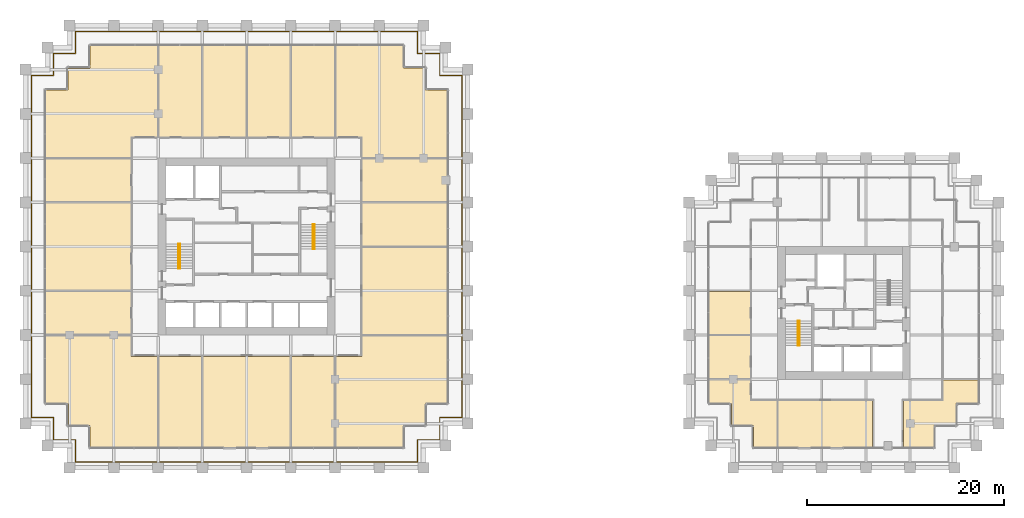
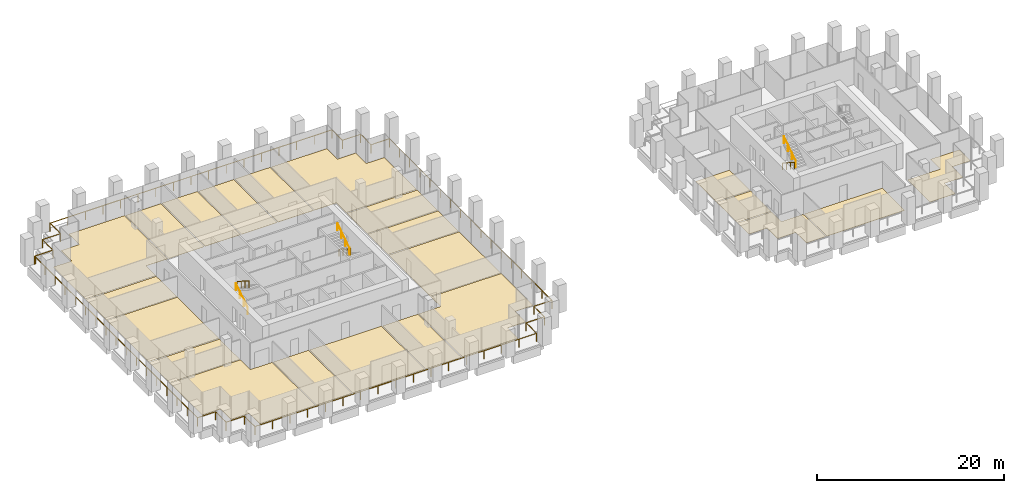
# One storey, part 55 of 56: 22 coverings, 7 railings.
"""IFC4 building model written with IfcOpenShell, lengths in metres."""

import ifcopenshell
import ifcopenshell.guid

model = None  # the IFC model being written
_history = None  # IfcOwnerHistory: only IFC2X3 demands one
_inside = {}  # id of a spatial element -> (the spatial element, [elements in it])
_under = {}  # id of a project, library or spatial element -> (it, [spatial elements below it])
_declared = {}  # id of a project -> (the project, [libraries it declares])
_typed = {}  # id of a type object -> (the type object, [elements of that type])
_made_of = {}  # id of a material, layer set ... -> (it, [elements and type objects made of it])


def new_model(schema):
    """Start an empty IFC model of exactly this schema.

    Asked for "IFC4X3", IfcOpenShell would pick the latest addendum, in which some entities
    have other attributes; the version numbers below select the first issue.
    IFC2X3 requires an IfcOwnerHistory on every rooted entity: one is made here for all.
    """
    global model, _history
    if schema == "IFC4X3":
        model = ifcopenshell.file(schema_version=(4, 3, 0, 0))
    else:
        model = ifcopenshell.file(schema=schema)
    _inside.clear()
    _under.clear()
    _declared.clear()
    _typed.clear()
    _made_of.clear()
    _history = None
    if model.schema == "IFC2X3":
        org = make("IfcOrganization", Name="unknown")
        user = make(
            "IfcPersonAndOrganization",
            ThePerson=make("IfcPerson", FamilyName="unknown"),
            TheOrganization=org,
        )
        app = make(
            "IfcApplication",
            ApplicationDeveloper=org,
            Version="unknown",
            ApplicationFullName="unknown",
            ApplicationIdentifier="unknown",
        )
        _history = make(
            "IfcOwnerHistory",
            OwningUser=user,
            OwningApplication=app,
            ChangeAction="ADDED",
            CreationDate=0,
        )
    return model


def make(cls, **values):
    """One entity of the class cls with the attributes given. An attribute that is None is left unset."""
    return model.create_entity(
        cls, **{name: value for name, value in values.items() if value is not None}
    )


def rooted(cls, **values):
    """An entity with a GlobalId (a new one), such as an element, a storey or a relation."""
    return make(cls, GlobalId=ifcopenshell.guid.new(), OwnerHistory=_history, **values)


def si_unit(unit_type, name, prefix=None):
    """IfcSIUnit, for example si_unit("LENGTHUNIT", "METRE", prefix="MILLI")."""
    return make("IfcSIUnit", UnitType=unit_type, Prefix=prefix, Name=name)


def assignment(units):
    """IfcUnitAssignment: the units of a project."""
    return None if units is None else make("IfcUnitAssignment", Units=units)


def point(xyz):
    """IfcCartesianPoint."""
    return None if xyz is None else make("IfcCartesianPoint", Coordinates=xyz)


def direction(xyz):
    """IfcDirection."""
    return None if xyz is None else make("IfcDirection", DirectionRatios=xyz)


def frame(location, z_axis=None, x_axis=None):
    """IfcAxis2Placement3D, a coordinate frame: its origin and axes. An axis left out is left unset."""
    return make(
        "IfcAxis2Placement3D",
        Location=point(location),
        Axis=direction(z_axis),
        RefDirection=direction(x_axis),
    )


def frame_2d(location, x_axis=None):
    """IfcAxis2Placement2D, a coordinate frame in the plane: its origin and x axis."""
    return make(
        "IfcAxis2Placement2D", Location=point(location), RefDirection=direction(x_axis)
    )


def origin():
    """The frame at (0, 0, 0) with its axes left unset."""
    return frame((0.0, 0.0, 0.0))


def origin_2d():
    """The frame at (0, 0) in the plane with its x axis left unset."""
    return frame_2d((0.0, 0.0))


def place(relative_to, where):
    """IfcLocalPlacement: puts the frame where relative to a parent placement (None: the world)."""
    return make(
        "IfcLocalPlacement", PlacementRelTo=relative_to, RelativePlacement=where
    )


def context(
    kind, dimensions, precision=None, world=None, true_north=None, identifier=None
):
    """IfcGeometricRepresentationContext, for example the 3D "Model" context."""
    return make(
        "IfcGeometricRepresentationContext",
        ContextIdentifier=identifier,
        ContextType=kind,
        CoordinateSpaceDimension=dimensions,
        Precision=precision,
        WorldCoordinateSystem=world,
        TrueNorth=true_north,
    )


def subcontext(parent, identifier, kind, view, scale=None):
    """IfcGeometricRepresentationSubContext, for example "Body" below "Model"."""
    return make(
        "IfcGeometricRepresentationSubContext",
        ContextIdentifier=identifier,
        ContextType=kind,
        ParentContext=parent,
        TargetScale=scale,
        TargetView=view,
    )


def project(units=None, contexts=None):
    """IfcProject with its units and contexts."""
    return rooted(
        "IfcProject",
        Name="project",
        RepresentationContexts=contexts,
        UnitsInContext=assignment(units),
    )


def spatial(cls, under=None, at=None, **own):
    """A site, building, storey or space (cls), placed at a placement, below another one or the project."""
    s = rooted(cls, ObjectPlacement=at, **own)
    if under is not None:
        _under.setdefault(under.id(), (under, []))[1].append(s)
    return s


def polyline(points):
    """IfcPolyline through the points."""
    return make("IfcPolyline", Points=[point(p) for p in points])


def profile(cls, at=None, kind="AREA", **sizes):
    """A parametric profile (cls). Its sizes go by their IFC names, for example OverallWidth=200.0."""
    return make(cls, ProfileType=kind, Position=at, **sizes)


def circle(**sizes):
    """IfcCircleProfileDef."""
    return profile("IfcCircleProfileDef", **sizes)


def outline(outer, holes=None, kind="AREA"):
    """IfcArbitraryClosedProfileDef: a profile drawn as a closed curve; with holes, ...WithVoids."""
    if holes is None:
        return make("IfcArbitraryClosedProfileDef", ProfileType=kind, OuterCurve=outer)
    return make(
        "IfcArbitraryProfileDefWithVoids",
        ProfileType=kind,
        OuterCurve=outer,
        InnerCurves=holes,
    )


def extrude(swept, where, along, depth):
    """IfcExtrudedAreaSolid: the profile swept, set in the frame where, extruded along a direction by depth."""
    return make(
        "IfcExtrudedAreaSolid",
        SweptArea=swept,
        Position=where,
        ExtrudedDirection=direction(along),
        Depth=depth,
    )


def shape(context_of_items, identifier, shape_type, items):
    """IfcShapeRepresentation: the items that make up one representation, for example the "Body"."""
    return make(
        "IfcShapeRepresentation",
        ContextOfItems=context_of_items,
        RepresentationIdentifier=identifier,
        RepresentationType=shape_type,
        Items=items,
    )


def source(mapping_origin, context_of_items, identifier, shape_type, items):
    """IfcRepresentationMap: a shape defined once, which mapped items show again and again."""
    return make(
        "IfcRepresentationMap",
        MappingOrigin=mapping_origin,
        MappedRepresentation=shape(context_of_items, identifier, shape_type, items),
    )


def transform(
    local_origin,
    x_axis=None,
    y_axis=None,
    z_axis=None,
    scale=None,
    scale2=None,
    scale3=None,
    uniform=True,
):
    """IfcCartesianTransformationOperator3D, or its non-uniform kind. x_axis, y_axis, z_axis: its Axis1, 2, 3."""
    if uniform:
        return make(
            "IfcCartesianTransformationOperator3D",
            Axis1=direction(x_axis),
            Axis2=direction(y_axis),
            LocalOrigin=point(local_origin),
            Scale=scale,
            Axis3=direction(z_axis),
        )
    return make(
        "IfcCartesianTransformationOperator3DnonUniform",
        Axis1=direction(x_axis),
        Axis2=direction(y_axis),
        LocalOrigin=point(local_origin),
        Scale=scale,
        Axis3=direction(z_axis),
        Scale2=scale2,
        Scale3=scale3,
    )


def mapped(mapping_source, mapping_target):
    """IfcMappedItem: shows the shape of a source again, moved by a transform."""
    return make(
        "IfcMappedItem", MappingSource=mapping_source, MappingTarget=mapping_target
    )


def material(Name=None, Category=None):
    """IfcMaterial."""
    return make("IfcMaterial", Name=Name, Category=Category)


def layer(
    of_material, thickness, ventilated=None, Name=None, Category=None, Priority=None
):
    """IfcMaterialLayer: one layer of a wall or slab, of a material (None: an air gap)."""
    return make(
        "IfcMaterialLayer",
        Material=of_material,
        LayerThickness=thickness,
        IsVentilated=ventilated,
        Name=Name,
        Category=Category,
        Priority=Priority,
    )


def layer_set(layers, Name=None):
    """IfcMaterialLayerSet."""
    return make("IfcMaterialLayerSet", MaterialLayers=layers, LayerSetName=Name)


def made_of(thing, what):
    """Note that an element or type object is made of a material, layer set ...; save() writes the relation."""
    if what is not None:
        _made_of.setdefault(what.id(), (what, []))[1].append(thing)
    return thing


def type_object(cls, material=None, **own):
    """A type object (cls), such as IfcWallType, which elements share."""
    return made_of(rooted(cls, **own), material)


def element(
    cls,
    number,
    at=None,
    inside=None,
    cuts=None,
    type_object=None,
    material=None,
    context=None,
    identifier="Body",
    shape_type=None,
    held_by="IfcProductDefinitionShape",
    body=None,
    shapes=None,
    **own,
):
    """One element of the class cls, such as IfcWall. Its Tag is "e" and its number.

    at: its placement. inside: the storey or other place that contains it. cuts: it is an
    opening in that element (IfcRelVoidsElement). A single representation is given by context,
    identifier, shape_type and body (its items); several are given by shapes. held_by: the class
    of the entity that holds the representations. save() writes the other relations.
    """
    e = rooted(cls, Tag="e%d" % number, ObjectPlacement=at, **own)
    if body is not None:
        shapes = [shape(context, identifier, shape_type, body)]
    if shapes is not None:
        e.Representation = make(held_by, Representations=shapes)
    if inside is not None:
        _inside.setdefault(inside.id(), (inside, []))[1].append(e)
    if cuts is not None:
        rooted(
            "IfcRelVoidsElement", RelatingBuildingElement=cuts, RelatedOpeningElement=e
        )
    if type_object is not None:
        _typed.setdefault(type_object.id(), (type_object, []))[1].append(e)
    return made_of(e, material)


def aggregate(whole, parts):
    """IfcRelAggregates: a whole, such as a stair, and the parts it consists of."""
    return rooted("IfcRelAggregates", RelatingObject=whole, RelatedObjects=parts)


def save(model, path):
    """Write the relations noted so far, then the file.

    IfcRelAggregates (storeys below a building ...), IfcRelContainedInSpatialStructure (elements
    in a storey), IfcRelDefinesByType, IfcRelAssociatesMaterial and IfcRelDeclares: one each for
    every whole, place, type object, material and project.
    """
    for whole, parts in _under.values():
        aggregate(whole, parts)
    for where, things in _inside.values():
        rooted(
            "IfcRelContainedInSpatialStructure",
            RelatedElements=things,
            RelatingStructure=where,
        )
    for kind, things in _typed.values():
        rooted("IfcRelDefinesByType", RelatedObjects=things, RelatingType=kind)
    for what, things in _made_of.values():
        rooted("IfcRelAssociatesMaterial", RelatedObjects=things, RelatingMaterial=what)
    for by, libraries in _declared.values():
        rooted("IfcRelDeclares", RelatingContext=by, RelatedDefinitions=libraries)
    model.write(path)


model = new_model("IFC4")

# Units and contexts
model_context = context("Model", 3, precision=1e-05, world=origin(), true_north=direction((0.0, 1.0)))
body_context = subcontext(model_context, "Body", "Model", "MODEL_VIEW")
ifc_project = project(units=[si_unit("LENGTHUNIT", "METRE"), si_unit("AREAUNIT", "SQUARE_METRE"), si_unit("VOLUMEUNIT", "CUBIC_METRE"), si_unit("PLANEANGLEUNIT", "RADIAN"), si_unit("MASSUNIT", "GRAM", prefix="KILO")], contexts=[model_context])

# Site, building, storey
site_placement = place(None, origin())
site = spatial("IfcSite", under=ifc_project, at=site_placement, CompositionType="ELEMENT")
building_placement = place(site_placement, origin())
building = spatial("IfcBuilding", under=site, at=building_placement, Name="Altepetl Exchange Towers", CompositionType="ELEMENT")
storey_placement = place(building_placement, frame((0.0, 0.0, 51.0)))
storey = spatial("IfcBuildingStorey", under=building, at=storey_placement, Name="L11", CompositionType="ELEMENT", Elevation=51.0)

# Coverings
ifc_material_1 = material(Name="Carpet tile")
ifc_layer_1 = layer(ifc_material_1, 0.02001953125)
ifc_layer_set_1 = layer_set([ifc_layer_1], Name="Carpet tile")
covering_type_1 = type_object("IfcCoveringType", Name="Carpet tile floor", PredefinedType="FLOORING", material=ifc_layer_set_1)
covering_1_placement = place(storey_placement, origin())
element("IfcCovering", 1, at=covering_1_placement, inside=storey, type_object=covering_type_1, Name="Print room floor finish A11.01", PredefinedType="FLOORING", context=body_context, shape_type="SweptSolid", body=[
    extrude(outline(polyline([(37.737548828125, 44.9375), (29.0625, 44.9375), (29.0625, 40.5625), (37.737548828125, 40.5625), (37.737548828125, 44.9375)])), origin(), (0.0, 0.0, 1.0), 0.02001953125),
])
covering_2_placement = place(storey_placement, origin())
element("IfcCovering", 2, at=covering_2_placement, inside=storey, type_object=covering_type_1, Name="Open office floor finish A11.05", PredefinedType="FLOORING", context=body_context, shape_type="SweptSolid", body=[
    extrude(outline(polyline([(58.4375, 29.0625), (58.4375, 38.33740234375), (54.0625, 38.33740234375), (54.0625, 29.0625), (58.4375, 29.0625)])), origin(), (0.0, 0.0, 1.0), 0.02001953125),
])
covering_3_placement = place(storey_placement, origin())
element("IfcCovering", 3, at=covering_3_placement, inside=storey, type_object=covering_type_1, Name="Open office floor finish A11.07", PredefinedType="FLOORING", context=body_context, shape_type="SweptSolid", body=[
    extrude(outline(polyline([(69.9375, 49.4375), (61.262451171875, 49.4375), (61.262451171875, 40.5625), (69.9375, 40.5625), (69.9375, 49.4375)])), origin(), (0.0, 0.0, 1.0), 0.02001953125),
])
covering_4_placement = place(storey_placement, origin())
element("IfcCovering", 4, at=covering_4_placement, inside=storey, type_object=covering_type_1, Name="Print room floor finish A11.08", PredefinedType="FLOORING", context=body_context, shape_type="SweptSolid", body=[
    extrude(outline(polyline([(69.9375, 53.9375), (61.262451171875, 53.9375), (61.262451171875, 49.5625), (69.9375, 49.5625), (69.9375, 53.9375)])), origin(), (0.0, 0.0, 1.0), 0.02001953125),
])
covering_5_placement = place(storey_placement, origin())
element("IfcCovering", 5, at=covering_5_placement, inside=storey, type_object=covering_type_1, Name="Print room floor finish A11.09", PredefinedType="FLOORING", context=body_context, shape_type="SweptSolid", body=[
    extrude(outline(polyline([(69.9375, 58.4375), (61.262451171875, 58.4375), (61.262451171875, 54.0625), (69.9375, 54.0625), (69.9375, 58.4375)])), origin(), (0.0, 0.0, 1.0), 0.02001953125),
])
covering_6_placement = place(storey_placement, origin())
element("IfcCovering", 6, at=covering_6_placement, inside=storey, type_object=covering_type_1, Name="Open office floor finish A11.12", PredefinedType="FLOORING", context=body_context, shape_type="SweptSolid", body=[
    extrude(outline(polyline([(49.5625, 69.9375), (49.5625, 60.66259765625), (53.9375, 60.66259765625), (53.9375, 69.9375), (49.5625, 69.9375)])), origin(), (0.0, 0.0, 1.0), 0.02001953125),
])
covering_7_placement = place(storey_placement, origin())
element("IfcCovering", 7, at=covering_7_placement, inside=storey, type_object=covering_type_1, Name="Open office floor finish A11.14", PredefinedType="FLOORING", context=body_context, shape_type="SweptSolid", body=[
    extrude(outline(polyline([(40.5625, 69.9375), (40.5625, 60.66259765625), (44.9375, 60.66259765625), (44.9375, 69.9375), (40.5625, 69.9375)])), origin(), (0.0, 0.0, 1.0), 0.02001953125),
])
covering_8_placement = place(storey_placement, origin())
element("IfcCovering", 8, at=covering_8_placement, inside=storey, type_object=covering_type_1, Name="Print room floor finish A11.16", PredefinedType="FLOORING", context=body_context, shape_type="SweptSolid", body=[
    extrude(outline(polyline([(37.737548828125, 58.4375), (29.0625, 58.4375), (29.0625, 54.0625), (37.737548828125, 54.0625), (37.737548828125, 58.4375)])), origin(), (0.0, 0.0, 1.0), 0.02001953125),
])
covering_9_placement = place(storey_placement, origin())
element("IfcCovering", 9, at=covering_9_placement, inside=storey, type_object=covering_type_1, Name="Huddle room floor finish B11.01", PredefinedType="FLOORING", context=body_context, shape_type="SweptSolid", body=[
    extrude(outline(polyline([(100.737548828125, 44.9375), (96.5625, 44.9375), (96.5625, 40.5625), (100.737548828125, 40.5625), (100.737548828125, 44.9375)])), origin(), (0.0, 0.0, 1.0), 0.02001953125),
])
covering_10_placement = place(storey_placement, origin())
element("IfcCovering", 10, at=covering_10_placement, inside=storey, type_object=covering_type_1, Name="Huddle room floor finish B11.02", PredefinedType="FLOORING", context=body_context, shape_type="SweptSolid", body=[
    extrude(outline(polyline([(100.737548828125, 40.4375), (96.5625, 40.4375), (96.5625, 36.0625), (100.737548828125, 36.0625), (100.737548828125, 40.4375)])), origin(), (0.0, 0.0, 1.0), 0.02001953125),
])
covering_11_placement = place(storey_placement, origin())
element("IfcCovering", 11, at=covering_11_placement, inside=storey, type_object=covering_type_1, Name="Open office floor finish B11.05", PredefinedType="FLOORING", context=body_context, shape_type="SweptSolid", body=[
    extrude(outline(polyline([(116.3125, 33.83740234375), (116.3125, 29.0625), (119.4375, 29.0625), (119.4375, 31.3125), (121.6875, 31.3125), (121.6875, 33.5625), (123.9375, 33.5625), (123.9375, 35.9375), (120.362548828125, 35.9375), (120.362548828125, 33.83740234375), (116.3125, 33.83740234375)])), origin(), (0.0, 0.0, 1.0), 0.02001953125),
])
ifc_material_2 = material(Name="Cantera stone", Category="masonry")
ifc_layer_2 = layer(ifc_material_2, 0.030029296875)
ifc_layer_set_2 = layer_set([ifc_layer_2], Name="Cantera stone")
covering_type_2 = type_object("IfcCoveringType", Name="Polished stone floor", PredefinedType="FLOORING", material=ifc_layer_set_2)
covering_12_placement = place(storey_placement, origin())
element("IfcCovering", 12, at=covering_12_placement, inside=storey, type_object=covering_type_2, Name="Staff club floor finish A11.10", PredefinedType="FLOORING", context=body_context, shape_type="SweptSolid", body=[
    extrude(outline(polyline([(65.4375, 69.9375), (58.5625, 69.9375), (58.5625, 60.66259765625), (61.262451171875, 60.66259765625), (61.262451171875, 58.5625), (69.9375, 58.5625), (69.9375, 65.4375), (67.6875, 65.4375), (67.6875, 67.6875), (65.4375, 67.6875), (65.4375, 69.9375)])), origin(), (0.0, 0.0, 1.0), 0.030029296875),
])
covering_13_placement = place(storey_placement, origin())
element("IfcCovering", 13, at=covering_13_placement, inside=storey, type_object=covering_type_2, Name="Staff club floor finish A11.15", PredefinedType="FLOORING", context=body_context, shape_type="SweptSolid", body=[
    extrude(outline(polyline([(40.4375, 60.66259765625), (40.4375, 69.9375), (33.5625, 69.9375), (33.5625, 67.6875), (31.3125, 67.6875), (31.3125, 65.4375), (29.0625, 65.4375), (29.0625, 58.5625), (37.737548828125, 58.5625), (37.737548828125, 60.66259765625), (40.4375, 60.66259765625)])), origin(), (0.0, 0.0, 1.0), 0.030029296875),
])
covering_14_placement = place(storey_placement, origin())
element("IfcCovering", 14, at=covering_14_placement, inside=storey, type_object=covering_type_2, Name="Staff club floor finish B11.03", PredefinedType="FLOORING", context=body_context, shape_type="SweptSolid", body=[
    extrude(outline(polyline([(100.737548828125, 35.9375), (96.5625, 35.9375), (96.5625, 33.5625), (98.8125, 33.5625), (98.8125, 31.3125), (101.0625, 31.3125), (101.0625, 29.0625), (103.4375, 29.0625), (103.4375, 33.83740234375), (100.737548828125, 33.83740234375), (100.737548828125, 35.9375)])), origin(), (0.0, 0.0, 1.0), 0.030029296875),
])
ifc_material_3 = material(Name="Calcium sulphate access floor panel")
ifc_layer_3 = layer(ifc_material_3, 0.0400390625)
ifc_layer_set_3 = layer_set([ifc_layer_3], Name="Calcium sulphate access floor panel")
covering_type_3 = type_object("IfcCoveringType", Name="Raised access floor panels", PredefinedType="FLOORING", material=ifc_layer_set_3)
covering_15_placement = place(storey_placement, origin())
element("IfcCovering", 15, at=covering_15_placement, inside=storey, type_object=covering_type_3, Name="Bank office floor finish A11.02", PredefinedType="FLOORING", context=body_context, shape_type="SweptSolid", body=[
    extrude(outline(polyline([(40.4375, 29.0625), (40.4375, 38.33740234375), (37.737548828125, 38.33740234375), (37.737548828125, 40.4375), (29.0625, 40.4375), (29.0625, 33.5625), (31.3125, 33.5625), (31.3125, 31.3125), (33.5625, 31.3125), (33.5625, 29.0625), (40.4375, 29.0625)])), origin(), (0.0, 0.0, 1.0), 0.0400390625),
])
covering_16_placement = place(storey_placement, origin())
element("IfcCovering", 16, at=covering_16_placement, inside=storey, type_object=covering_type_3, Name="Treasury office floor finish A11.03", PredefinedType="FLOORING", context=body_context, shape_type="SweptSolid", body=[
    extrude(outline(polyline([(44.9375, 29.0625), (44.9375, 38.33740234375), (40.5625, 38.33740234375), (40.5625, 29.0625), (44.9375, 29.0625)])), origin(), (0.0, 0.0, 1.0), 0.0400390625),
])
covering_17_placement = place(storey_placement, origin())
element("IfcCovering", 17, at=covering_17_placement, inside=storey, type_object=covering_type_3, Name="Treasury office floor finish A11.04", PredefinedType="FLOORING", context=body_context, shape_type="SweptSolid", body=[
    extrude(outline(polyline([(53.9375, 29.0625), (53.9375, 38.33740234375), (45.0625, 38.33740234375), (45.0625, 29.0625), (53.9375, 29.0625)])), origin(), (0.0, 0.0, 1.0), 0.0400390625),
])
covering_18_placement = place(storey_placement, origin())
element("IfcCovering", 18, at=covering_18_placement, inside=storey, type_object=covering_type_3, Name="Bank office floor finish A11.06", PredefinedType="FLOORING", context=body_context, shape_type="SweptSolid", body=[
    extrude(outline(polyline([(69.9375, 40.4375), (61.262451171875, 40.4375), (61.262451171875, 38.33740234375), (58.5625, 38.33740234375), (58.5625, 29.0625), (65.4375, 29.0625), (65.4375, 31.3125), (67.6875, 31.3125), (67.6875, 33.5625), (69.9375, 33.5625), (69.9375, 40.4375)])), origin(), (0.0, 0.0, 1.0), 0.0400390625),
])
covering_19_placement = place(storey_placement, origin())
element("IfcCovering", 19, at=covering_19_placement, inside=storey, type_object=covering_type_3, Name="Treasury office floor finish A11.11", PredefinedType="FLOORING", context=body_context, shape_type="SweptSolid", body=[
    extrude(outline(polyline([(54.0625, 69.9375), (54.0625, 60.66259765625), (58.4375, 60.66259765625), (58.4375, 69.9375), (54.0625, 69.9375)])), origin(), (0.0, 0.0, 1.0), 0.0400390625),
])
covering_20_placement = place(storey_placement, origin())
element("IfcCovering", 20, at=covering_20_placement, inside=storey, type_object=covering_type_3, Name="Treasury office floor finish A11.13", PredefinedType="FLOORING", context=body_context, shape_type="SweptSolid", body=[
    extrude(outline(polyline([(45.0625, 69.9375), (45.0625, 60.66259765625), (49.4375, 60.66259765625), (49.4375, 69.9375), (45.0625, 69.9375)])), origin(), (0.0, 0.0, 1.0), 0.0400390625),
])
covering_21_placement = place(storey_placement, origin())
element("IfcCovering", 21, at=covering_21_placement, inside=storey, type_object=covering_type_3, Name="Bank office floor finish A11.17", PredefinedType="FLOORING", context=body_context, shape_type="SweptSolid", body=[
    extrude(outline(polyline([(37.737548828125, 53.9375), (29.0625, 53.9375), (29.0625, 45.0625), (37.737548828125, 45.0625), (37.737548828125, 53.9375)])), origin(), (0.0, 0.0, 1.0), 0.0400390625),
])
covering_22_placement = place(storey_placement, origin())
element("IfcCovering", 22, at=covering_22_placement, inside=storey, type_object=covering_type_3, Name="Clearing office floor finish B11.04", PredefinedType="FLOORING", context=body_context, shape_type="SweptSolid", body=[
    extrude(outline(polyline([(113.1875, 33.83740234375), (103.5625, 33.83740234375), (103.5625, 29.0625), (113.1875, 29.0625), (113.1875, 33.83740234375)])), origin(), (0.0, 0.0, 1.0), 0.0400390625),
])

# Railings
ifc_material_4 = material(Name="Steel S355", Category="steel")
railing_type_1 = type_object("IfcRailingType", Name="Guard 1100 steel posts and rail", PredefinedType="GUARDRAIL", material=ifc_material_4)
shared_shape_1 = source(origin(), body_context, "Body", "SweptSolid", [
    extrude(circle(Radius=0.02099609375, at=origin_2d()), origin(), (0.0, 0.0, 1.0), 1.052001953125),
])
railing_1_placement = place(storey_placement, frame((27.60009765625, 66.89990234375, 0.0)))
element("IfcRailing", 23, at=railing_1_placement, inside=storey, type_object=railing_type_1, Name="Loggia guard", PredefinedType="GUARDRAIL", context=body_context, shape_type="SweptSolid", body=[
    extrude(circle(Radius=0.02392578125, at=origin_2d()), frame((0.0, 0.0, 1.076171875), z_axis=(0.0, -1.0, 0.0), x_axis=(1.0, 0.0, 0.0)), (0.0, 0.0, 1.0), 34.7998046875),
    extrude(circle(Radius=0.02392578125, at=origin_2d()), frame((0.0, -34.7998046875, 1.076171875), z_axis=(1.0, 0.0, 0.0), x_axis=(0.0, 1.0, 0.0)), (0.0, 0.0, 1.0), 2.25),
    extrude(circle(Radius=0.02392578125, at=origin_2d()), frame((2.25, -34.7998046875, 1.076171875), z_axis=(0.0, -1.0, 0.0), x_axis=(1.0, 0.0, 0.0)), (0.0, 0.0, 1.0), 2.25),
    extrude(circle(Radius=0.02392578125, at=origin_2d()), frame((2.25, -37.0498046875, 1.076171875), z_axis=(1.0, 0.0, 0.0), x_axis=(0.0, 1.0, 0.0)), (0.0, 0.0, 1.0), 2.25),
    extrude(circle(Radius=0.02392578125, at=origin_2d()), frame((4.5, -37.0498046875, 1.076171875), z_axis=(0.0, -1.0, 0.0), x_axis=(1.0, 0.0, 0.0)), (0.0, 0.0, 1.0), 2.25),
    extrude(circle(Radius=0.02392578125, at=origin_2d()), frame((4.5, -39.2998046875, 1.076171875), z_axis=(1.0, 0.0, 0.0), x_axis=(0.0, 1.0, 0.0)), (0.0, 0.0, 1.0), 34.7998046875),
    extrude(circle(Radius=0.02392578125, at=origin_2d()), frame((39.2998046875, -39.2998046875, 1.076171875), z_axis=(0.0, 1.0, 0.0), x_axis=(-1.0, 0.0, 0.0)), (0.0, 0.0, 1.0), 2.25),
    extrude(circle(Radius=0.02392578125, at=origin_2d()), frame((39.2998046875, -37.0498046875, 1.076171875), z_axis=(1.0, 0.0, 0.0), x_axis=(0.0, 1.0, 0.0)), (0.0, 0.0, 1.0), 2.25),
    extrude(circle(Radius=0.02392578125, at=origin_2d()), frame((41.5498046875, -37.0498046875, 1.076171875), z_axis=(0.0, 1.0, 0.0), x_axis=(-1.0, 0.0, 0.0)), (0.0, 0.0, 1.0), 2.25),
    extrude(circle(Radius=0.02392578125, at=origin_2d()), frame((41.5498046875, -34.7998046875, 1.076171875), z_axis=(1.0, 0.0, 0.0), x_axis=(0.0, 1.0, 0.0)), (0.0, 0.0, 1.0), 2.25),
    extrude(circle(Radius=0.02392578125, at=origin_2d()), frame((43.7998046875, -34.7998046875, 1.076171875), z_axis=(0.0, 1.0, 0.0), x_axis=(-1.0, 0.0, 0.0)), (0.0, 0.0, 1.0), 34.7998046875),
    extrude(circle(Radius=0.02392578125, at=origin_2d()), frame((43.7998046875, 0.0, 1.076171875), z_axis=(-1.0, 0.0, 0.0), x_axis=(0.0, -1.0, 0.0)), (0.0, 0.0, 1.0), 2.25),
    extrude(circle(Radius=0.02392578125, at=origin_2d()), frame((41.5498046875, 0.0, 1.076171875), z_axis=(0.0, 1.0, 0.0), x_axis=(-1.0, 0.0, 0.0)), (0.0, 0.0, 1.0), 2.25),
    extrude(circle(Radius=0.02392578125, at=origin_2d()), frame((41.5498046875, 2.25, 1.076171875), z_axis=(-1.0, 0.0, 0.0), x_axis=(0.0, -1.0, 0.0)), (0.0, 0.0, 1.0), 2.25),
    extrude(circle(Radius=0.02392578125, at=origin_2d()), frame((39.2998046875, 2.25, 1.076171875), z_axis=(0.0, 1.0, 0.0), x_axis=(-1.0, 0.0, 0.0)), (0.0, 0.0, 1.0), 2.25),
    extrude(circle(Radius=0.02392578125, at=origin_2d()), frame((39.2998046875, 4.5, 1.076171875), z_axis=(-1.0, 0.0, 0.0), x_axis=(0.0, -1.0, 0.0)), (0.0, 0.0, 1.0), 34.7998046875),
    extrude(circle(Radius=0.02392578125, at=origin_2d()), frame((4.5, 4.5, 1.076171875), z_axis=(0.0, -1.0, 0.0), x_axis=(1.0, 0.0, 0.0)), (0.0, 0.0, 1.0), 2.25),
    extrude(circle(Radius=0.02392578125, at=origin_2d()), frame((4.5, 2.25, 1.076171875), z_axis=(-1.0, 0.0, 0.0), x_axis=(0.0, -1.0, 0.0)), (0.0, 0.0, 1.0), 2.25),
    extrude(circle(Radius=0.02392578125, at=origin_2d()), frame((2.25, 2.25, 1.076171875), z_axis=(0.0, -1.0, 0.0), x_axis=(1.0, 0.0, 0.0)), (0.0, 0.0, 1.0), 2.25),
    extrude(circle(Radius=0.02392578125, at=origin_2d()), frame((2.25, 0.0, 1.076171875), z_axis=(-1.0, 0.0, 0.0), x_axis=(0.0, -1.0, 0.0)), (0.0, 0.0, 1.0), 2.150146484375),
    mapped(shared_shape_1, transform((0.0, 0.0, 0.0))),
    mapped(shared_shape_1, transform((0.0, -2.175048828125, 0.0))),
    mapped(shared_shape_1, transform((0.0, -4.35009765625, 0.0))),
    mapped(shared_shape_1, transform((0.0, -6.52490234375, 0.0))),
    mapped(shared_shape_1, transform((0.0, -8.699951171875, 0.0))),
    mapped(shared_shape_1, transform((0.0, -10.875, 0.0))),
    mapped(shared_shape_1, transform((0.0, -13.0498046875, 0.0))),
    mapped(shared_shape_1, transform((0.0, -15.224853515625, 0.0))),
    mapped(shared_shape_1, transform((0.0, -17.39990234375, 0.0))),
    mapped(shared_shape_1, transform((0.0, -19.574951171875, 0.0))),
    mapped(shared_shape_1, transform((0.0, -21.75, 0.0))),
    mapped(shared_shape_1, transform((0.0, -23.9248046875, 0.0))),
    mapped(shared_shape_1, transform((0.0, -26.099853515625, 0.0))),
    mapped(shared_shape_1, transform((0.0, -28.27490234375, 0.0))),
    mapped(shared_shape_1, transform((0.0, -30.44970703125, 0.0))),
    mapped(shared_shape_1, transform((0.0, -32.624755859375, 0.0))),
    mapped(shared_shape_1, transform((0.0, -34.7998046875, 0.0))),
    mapped(shared_shape_1, transform((2.25, -34.7998046875, 0.0))),
    mapped(shared_shape_1, transform((2.25, -37.0498046875, 0.0))),
    mapped(shared_shape_1, transform((4.5, -37.0498046875, 0.0))),
    mapped(shared_shape_1, transform((4.5, -39.2998046875, 0.0))),
    mapped(shared_shape_1, transform((6.675048828125, -39.2998046875, 0.0))),
    mapped(shared_shape_1, transform((8.85009765625, -39.2998046875, 0.0))),
    mapped(shared_shape_1, transform((11.02490234375, -39.2998046875, 0.0))),
    mapped(shared_shape_1, transform((13.199951171875, -39.2998046875, 0.0))),
    mapped(shared_shape_1, transform((15.375, -39.2998046875, 0.0))),
    mapped(shared_shape_1, transform((17.5498046875, -39.2998046875, 0.0))),
    mapped(shared_shape_1, transform((19.724853515625, -39.2998046875, 0.0))),
    mapped(shared_shape_1, transform((21.89990234375, -39.2998046875, 0.0))),
    mapped(shared_shape_1, transform((24.074951171875, -39.2998046875, 0.0))),
    mapped(shared_shape_1, transform((26.25, -39.2998046875, 0.0))),
    mapped(shared_shape_1, transform((28.4248046875, -39.2998046875, 0.0))),
    mapped(shared_shape_1, transform((30.599853515625, -39.2998046875, 0.0))),
    mapped(shared_shape_1, transform((32.77490234375, -39.2998046875, 0.0))),
    mapped(shared_shape_1, transform((34.94970703125, -39.2998046875, 0.0))),
    mapped(shared_shape_1, transform((37.124755859375, -39.2998046875, 0.0))),
    mapped(shared_shape_1, transform((39.2998046875, -39.2998046875, 0.0))),
    mapped(shared_shape_1, transform((39.2998046875, -37.0498046875, 0.0))),
    mapped(shared_shape_1, transform((41.5498046875, -37.0498046875, 0.0))),
    mapped(shared_shape_1, transform((41.5498046875, -34.7998046875, 0.0))),
    mapped(shared_shape_1, transform((43.7998046875, -34.7998046875, 0.0))),
    mapped(shared_shape_1, transform((43.7998046875, -32.624755859375, 0.0))),
    mapped(shared_shape_1, transform((43.7998046875, -30.44970703125, 0.0))),
    mapped(shared_shape_1, transform((43.7998046875, -28.27490234375, 0.0))),
    mapped(shared_shape_1, transform((43.7998046875, -26.099853515625, 0.0))),
    mapped(shared_shape_1, transform((43.7998046875, -23.9248046875, 0.0))),
    mapped(shared_shape_1, transform((43.7998046875, -21.75, 0.0))),
    mapped(shared_shape_1, transform((43.7998046875, -19.574951171875, 0.0))),
    mapped(shared_shape_1, transform((43.7998046875, -17.39990234375, 0.0))),
    mapped(shared_shape_1, transform((43.7998046875, -15.224853515625, 0.0))),
    mapped(shared_shape_1, transform((43.7998046875, -13.0498046875, 0.0))),
    mapped(shared_shape_1, transform((43.7998046875, -10.875, 0.0))),
    mapped(shared_shape_1, transform((43.7998046875, -8.699951171875, 0.0))),
    mapped(shared_shape_1, transform((43.7998046875, -6.52490234375, 0.0))),
    mapped(shared_shape_1, transform((43.7998046875, -4.35009765625, 0.0))),
    mapped(shared_shape_1, transform((43.7998046875, -2.175048828125, 0.0))),
    mapped(shared_shape_1, transform((43.7998046875, 0.0, 0.0))),
    mapped(shared_shape_1, transform((41.5498046875, 0.0, 0.0))),
    mapped(shared_shape_1, transform((41.5498046875, 2.25, 0.0))),
    mapped(shared_shape_1, transform((39.2998046875, 2.25, 0.0))),
    mapped(shared_shape_1, transform((39.2998046875, 4.5, 0.0))),
    mapped(shared_shape_1, transform((37.124755859375, 4.5, 0.0))),
    mapped(shared_shape_1, transform((34.94970703125, 4.5, 0.0))),
    mapped(shared_shape_1, transform((32.77490234375, 4.5, 0.0))),
    mapped(shared_shape_1, transform((30.599853515625, 4.5, 0.0))),
    mapped(shared_shape_1, transform((28.4248046875, 4.5, 0.0))),
    mapped(shared_shape_1, transform((26.25, 4.5, 0.0))),
    mapped(shared_shape_1, transform((24.074951171875, 4.5, 0.0))),
    mapped(shared_shape_1, transform((21.89990234375, 4.5, 0.0))),
    mapped(shared_shape_1, transform((19.724853515625, 4.5, 0.0))),
    mapped(shared_shape_1, transform((17.5498046875, 4.5, 0.0))),
    mapped(shared_shape_1, transform((15.375, 4.5, 0.0))),
    mapped(shared_shape_1, transform((13.199951171875, 4.5, 0.0))),
    mapped(shared_shape_1, transform((11.02490234375, 4.5, 0.0))),
    mapped(shared_shape_1, transform((8.85009765625, 4.5, 0.0))),
    mapped(shared_shape_1, transform((6.675048828125, 4.5, 0.0))),
    mapped(shared_shape_1, transform((4.5, 4.5, 0.0))),
    mapped(shared_shape_1, transform((4.5, 2.25, 0.0))),
    mapped(shared_shape_1, transform((2.25, 2.25, 0.0))),
    mapped(shared_shape_1, transform((2.25, 0.0, 0.0))),
    mapped(shared_shape_1, transform((0.099853515625, 0.0, 0.0))),
])
ifc_material_5 = material(Name="Steel", Category="steel")
railing_type_2 = type_object("IfcRailingType", Name="Stair handrail 50 steel tube", PredefinedType="HANDRAIL", material=ifc_material_5)
shared_shape_2 = source(origin(), body_context, "Body", "SweptSolid", [
    extrude(circle(Radius=0.02099609375, at=origin_2d()), origin(), (0.0, 0.0, 1.0), 0.851806640625),
])
railing_2_placement = place(storey_placement, frame((42.570068359375, 47.25, 0.179931640625)))
element("IfcRailing", 24, at=railing_2_placement, inside=storey, type_object=railing_type_2, Name="Stair handrail", PredefinedType="HANDRAIL", context=body_context, shape_type="SweptSolid", body=[
    extrude(circle(Radius=0.02392578125, at=origin_2d()), frame((0.0, 0.0, 0.8759765625), z_axis=(0.0, 0.841162588446, 0.540782303519), x_axis=(-1.0, 0.0, 0.0)), (0.0, 0.0, 1.0), 2.995849609375),
    mapped(shared_shape_2, transform((0.0, 0.0, 0.0))),
    mapped(shared_shape_2, transform((0.0, 0.840087890625, 0.5400390625))),
    mapped(shared_shape_2, transform((0.0, 1.679931640625, 1.080078125))),
    mapped(shared_shape_2, transform((0.0, 2.52001953125, 1.6201171875))),
])
for number, where, name in (
    (25, (42.72998046875, 49.77001953125, 1.97998046875), "Stair handrail"),
    (26, (56.429931640625, 51.75, 0.179931640625), "Stair handrail"),
):
    element("IfcRailing", number, at=place(storey_placement, frame(where)), inside=storey, type_object=railing_type_2, Name=name, PredefinedType="HANDRAIL", context=body_context, shape_type="SweptSolid", body=[
        extrude(circle(Radius=0.02392578125, at=origin_2d()), frame((0.0, 0.0, 0.8759765625), z_axis=(0.0, -0.841162588446, 0.540782303519), x_axis=(1.0, 0.0, 0.0)), (0.0, 0.0, 1.0), 2.995849609375),
        mapped(shared_shape_2, transform((0.0, 0.0, 0.0))),
        mapped(shared_shape_2, transform((0.0, -0.840087890625, 0.5400390625))),
        mapped(shared_shape_2, transform((0.0, -1.679931640625, 1.080078125))),
        mapped(shared_shape_2, transform((0.0, -2.52001953125, 1.6201171875))),
    ])
railing_3_placement = place(storey_placement, frame((56.27001953125, 49.22998046875, 1.97998046875)))
element("IfcRailing", 27, at=railing_3_placement, inside=storey, type_object=railing_type_2, Name="Stair handrail", PredefinedType="HANDRAIL", context=body_context, shape_type="SweptSolid", body=[
    extrude(circle(Radius=0.02392578125, at=origin_2d()), frame((0.0, 0.0, 0.8759765625), z_axis=(0.0, 0.841162588446, 0.540782303519), x_axis=(-1.0, 0.0, 0.0)), (0.0, 0.0, 1.0), 2.995849609375),
    mapped(shared_shape_2, transform((0.0, 0.0, 0.0))),
    mapped(shared_shape_2, transform((0.0, 0.840087890625, 0.5400390625))),
    mapped(shared_shape_2, transform((0.0, 1.679931640625, 1.080078125))),
    mapped(shared_shape_2, transform((0.0, 2.52001953125, 1.6201171875))),
])
railing_4_placement = place(storey_placement, frame((105.570068359375, 41.949951171875, 0.179931640625)))
element("IfcRailing", 28, at=railing_4_placement, inside=storey, type_object=railing_type_2, Name="Stair handrail", PredefinedType="HANDRAIL", context=body_context, shape_type="SweptSolid", body=[
    extrude(circle(Radius=0.02392578125, at=origin_2d()), frame((0.0, 0.0, 0.8759765625), z_axis=(0.0, -0.841162588446, 0.540782303519), x_axis=(1.0, 0.0, 0.0)), (0.0, 0.0, 1.0), 2.995849609375),
    mapped(shared_shape_2, transform((0.0, 0.0, 0.0))),
    mapped(shared_shape_2, transform((0.0, -0.840087890625, 0.5400390625))),
    mapped(shared_shape_2, transform((0.0, -1.679931640625, 1.080078125))),
    mapped(shared_shape_2, transform((0.0, -2.52001953125, 1.6201171875))),
])
railing_5_placement = place(storey_placement, frame((105.72998046875, 39.429931640625, 1.97998046875)))
element("IfcRailing", 29, at=railing_5_placement, inside=storey, type_object=railing_type_2, Name="Stair handrail", PredefinedType="HANDRAIL", context=body_context, shape_type="SweptSolid", body=[
    extrude(circle(Radius=0.02392578125, at=origin_2d()), frame((0.0, 0.0, 0.8759765625), z_axis=(0.0, 0.841162588446, 0.540782303519), x_axis=(-1.0, 0.0, 0.0)), (0.0, 0.0, 1.0), 2.995849609375),
    mapped(shared_shape_2, transform((0.0, 0.0, 0.0))),
    mapped(shared_shape_2, transform((0.0, 0.840087890625, 0.5400390625))),
    mapped(shared_shape_2, transform((0.0, 1.679931640625, 1.080078125))),
    mapped(shared_shape_2, transform((0.0, 2.52001953125, 1.6201171875))),
])

save(model, "model.ifc")
